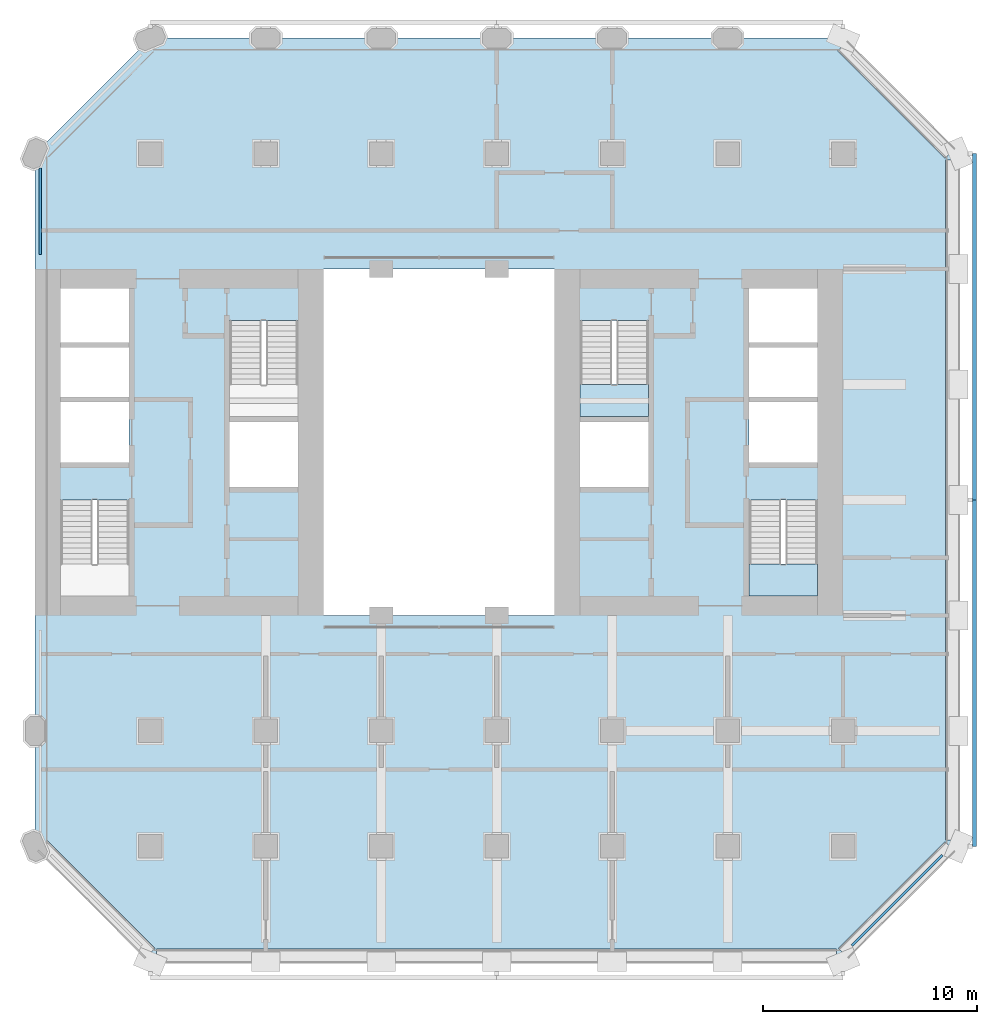
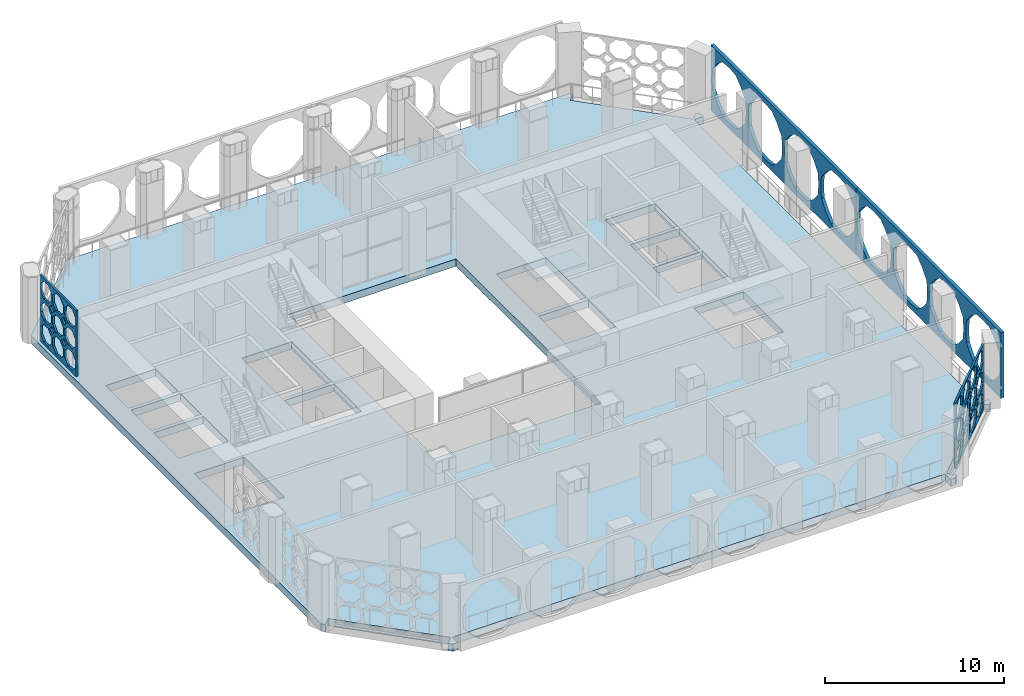
# One storey, part 6 of 14: 4 plates, 3 slabs, 2 elements without a shape of their own.
"""IFC4 building model written with IfcOpenShell, lengths in metres."""

from ifc_helpers import new_model, si_unit, direction, frame, origin, place, context, subcontext, project, spatial, polyline, outline, extrude, material, layer, layer_set, type_object, element, aggregate, save


model = new_model("IFC4")

# Units and contexts
model_context = context("Model", 3, precision=1e-05, world=origin(), true_north=direction((0.0, 1.0)))
body_context = subcontext(model_context, "Body", "Model", "MODEL_VIEW")
ifc_project = project(units=[si_unit("LENGTHUNIT", "METRE"), si_unit("AREAUNIT", "SQUARE_METRE"), si_unit("VOLUMEUNIT", "CUBIC_METRE"), si_unit("PLANEANGLEUNIT", "RADIAN"), si_unit("MASSUNIT", "GRAM", prefix="KILO")], contexts=[model_context])

# Site, building, storey
site_placement = place(None, origin())
site = spatial("IfcSite", under=ifc_project, at=site_placement, CompositionType="ELEMENT")
building_placement = place(site_placement, origin())
building = spatial("IfcBuilding", under=site, at=building_placement, Name="Tabaq Tower and Sports Hall", CompositionType="ELEMENT")
storey_placement = place(building_placement, frame((0.0, 0.0, 60.199951171875)))
storey = spatial("IfcBuildingStorey", under=building, at=storey_placement, Name="L13", CompositionType="ELEMENT", Elevation=60.199951171875)

# Stair, slab
ifc_material_1 = material(Name="Concrete C40/50", Category="concrete")
stair_type = type_object("IfcStairType", Name="Exit stair", PredefinedType="HALF_TURN_STAIR", material=ifc_material_1)
stair_1_placement = place(storey_placement, origin())
stair_1 = element("IfcStair", 1, at=stair_1_placement, inside=storey, type_object=stair_type, Name="L13 Exit stair ST3", PredefinedType="HALF_TURN_STAIR")
ifc_material_2 = material(Name="Concrete C40/50", Category="concrete")
ifc_layer_1 = layer(ifc_material_2, 0.199951171875)
ifc_layer_set_1 = layer_set([ifc_layer_1], Name="Exit stair landing")
slab_type_1 = type_object("IfcSlabType", Name="Exit stair landing", PredefinedType="LANDING", material=ifc_layer_set_1)
slab_1_placement = place(storey_placement, frame((0.0, 0.0, 2.199951171875)))
slab_1 = element("IfcSlab", 2, at=slab_1_placement, type_object=slab_type_1, Name="ST3 landing 1", PredefinedType="LANDING", context=body_context, shape_type="SweptSolid", body=[
    extrude(outline(polyline([(38.800048828125, 18.60009765625), (38.800048828125, 17.10009765625), (42.0, 17.10009765625), (42.0, 18.60009765625), (38.800048828125, 18.60009765625)])), origin(), (0.0, 0.0, 1.0), 0.2001953125),
])
aggregate(stair_1, [slab_1])

stair_2_placement = place(storey_placement, origin())
stair_2 = element("IfcStair", 3, at=stair_2_placement, inside=storey, type_object=stair_type, Name="L13 Exit stair ST4", PredefinedType="HALF_TURN_STAIR")
slab_2_placement = place(storey_placement, frame((0.0, 0.0, 2.199951171875)))
slab_2 = element("IfcSlab", 4, at=slab_2_placement, type_object=slab_type_1, Name="ST4 landing 1", PredefinedType="LANDING", context=body_context, shape_type="SweptSolid", body=[
    extrude(outline(polyline([(30.89990234375, 27.0), (30.89990234375, 25.5), (34.10009765625, 25.5), (34.10009765625, 27.0), (30.89990234375, 27.0)])), origin(), (0.0, 0.0, 1.0), 0.2001953125),
])
aggregate(stair_2, [slab_2])

# Slab
ifc_material_3 = material(Name="Concrete C40/50", Category="concrete")
ifc_layer_2 = layer(ifc_material_3, 0.5)
ifc_layer_set_2 = layer_set([ifc_layer_2], Name="PT FLOOR SLAB 500 C40/50")
slab_type_2 = type_object("IfcSlabType", Name="PT FLOOR SLAB 500 C40/50", PredefinedType="FLOOR", material=ifc_layer_set_2)
slab_3_placement = place(storey_placement, frame((0.0, 0.0, -0.5)))
element("IfcSlab", 5, at=slab_3_placement, inside=storey, type_object=slab_type_2, Name="Floor Slab L13", PredefinedType="FLOOR", context=body_context, shape_type="SweptSolid", body=[
    extrude(outline(polyline([(5.39990234375, 37.800048828125), (5.39990234375, 5.39990234375), (5.57666015625, 5.22314453125), (5.930419921875, 5.57666015625), (6.0009765625, 5.6474609375), (11.01318359375, 0.63525390625), (10.5888671875, 0.211181640625), (10.800048828125, 0.0), (11.0986328125, 0.0), (11.0986328125, 0.5), (11.0986328125, 0.60009765625), (42.9013671875, 0.60009765625), (42.9013671875, 0.5), (42.9013671875, 0.0), (43.199951171875, 0.0), (43.4111328125, 0.211181640625), (42.98681640625, 0.63525390625), (47.964599609375, 5.61328125), (48.035400390625, 5.54248046875), (48.388916015625, 5.18896484375), (48.60009765625, 5.39990234375), (48.60009765625, 5.698486328125), (48.10009765625, 5.698486328125), (48.0, 5.698486328125), (48.0, 37.50146484375), (48.10009765625, 37.50146484375), (48.60009765625, 37.50146484375), (48.60009765625, 37.800048828125), (48.388916015625, 38.010986328125), (48.035400390625, 37.657470703125), (47.964599609375, 37.5869140625), (42.952392578125, 42.598876953125), (43.023193359375, 42.669677734375), (43.376708984375, 43.023193359375), (43.199951171875, 43.199951171875), (10.800048828125, 43.199951171875), (5.39990234375, 37.800048828125)]), holes=[polyline([(6.60009765625, 21.599365234375), (9.800048828125, 21.599365234375), (9.800048828125, 17.10009765625), (6.60009765625, 17.10009765625), (6.60009765625, 21.599365234375)]), polyline([(17.699951171875, 25.25), (17.699951171875, 22.199951171875), (14.5, 22.199951171875), (14.5, 25.25), (17.699951171875, 25.25)]), polyline([(18.89990234375, 32.39990234375), (29.699951171875, 32.39990234375), (29.699951171875, 16.199951171875), (18.89990234375, 16.199951171875), (18.89990234375, 32.39990234375)]), polyline([(6.60009765625, 26.175048828125), (9.800048828125, 26.175048828125), (9.800048828125, 23.35009765625), (6.60009765625, 23.35009765625), (6.60009765625, 26.175048828125)]), polyline([(9.800048828125, 28.72509765625), (9.800048828125, 26.425048828125), (6.60009765625, 26.425048828125), (6.60009765625, 28.72509765625), (9.800048828125, 28.72509765625)]), polyline([(17.699951171875, 29.99951171875), (17.699951171875, 25.5), (14.5, 25.5), (14.5, 29.99951171875), (17.699951171875, 29.99951171875)]), polyline([(6.60009765625, 31.5), (9.800048828125, 31.5), (9.800048828125, 28.97509765625), (6.60009765625, 28.97509765625), (6.60009765625, 31.5)]), polyline([(42.0, 21.599365234375), (42.0, 17.10009765625), (38.800048828125, 17.10009765625), (38.800048828125, 21.599365234375), (42.0, 21.599365234375)]), polyline([(34.10009765625, 25.25), (34.10009765625, 22.199951171875), (30.89990234375, 22.199951171875), (30.89990234375, 25.25), (34.10009765625, 25.25)]), polyline([(42.0, 26.175048828125), (42.0, 23.35009765625), (38.800048828125, 23.35009765625), (38.800048828125, 26.175048828125), (42.0, 26.175048828125)]), polyline([(42.0, 28.72509765625), (42.0, 26.425048828125), (38.800048828125, 26.425048828125), (38.800048828125, 28.72509765625), (42.0, 28.72509765625)]), polyline([(34.10009765625, 29.99951171875), (34.10009765625, 25.5), (30.89990234375, 25.5), (30.89990234375, 29.99951171875), (34.10009765625, 29.99951171875)]), polyline([(42.0, 31.5), (42.0, 28.97509765625), (38.800048828125, 28.97509765625), (38.800048828125, 31.5), (42.0, 31.5)])]), origin(), (0.0, 0.0, 1.0), 0.5),
])

# Plates
ifc_material_4 = material(Name="White precast concrete C60/75 pierced screen", Category="concrete")
ifc_layer_3 = layer(ifc_material_4, 0.199951171875)
ifc_layer_set_3 = layer_set([ifc_layer_3], Name="White precast concrete C60/75 girih screen 200")
plate_type_1 = type_object("IfcPlateType", Name="White precast concrete C60/75 girih screen 200", PredefinedType="USERDEFINED", material=ifc_layer_set_3)
plate_1_placement = place(storey_placement, frame((49.35009765625, 5.39990234375, 0.0), z_axis=(0.0, 0.0, 1.0), x_axis=(0.0, 1.0, 0.0)))
element("IfcPlate", 6, at=plate_1_placement, inside=storey, type_object=plate_type_1, Name="Girih screen L13 E", ObjectType="SCREEN", PredefinedType="USERDEFINED", context=body_context, shape_type="SweptSolid", body=[
    extrude(outline(polyline([(0.0, 0.0), (16.2001953125, 0.0), (16.2001953125, 4.5), (0.0, 4.5), (0.0, 0.0)]), holes=[polyline([(3.85107421875, 3.00634765625), (3.36669921875, 3.591552734375), (2.78125, 4.075927734375), (2.02490234375, 4.1474609375), (1.2685546875, 4.075927734375), (0.683349609375, 3.591552734375), (0.198974609375, 3.00634765625), (0.127685546875, 2.25), (0.198974609375, 1.49365234375), (0.683349609375, 0.908447265625), (1.2685546875, 0.424072265625), (2.02490234375, 0.352783203125), (2.78125, 0.424072265625), (3.36669921875, 0.908447265625), (3.85107421875, 1.49365234375), (3.92236328125, 2.25), (3.85107421875, 3.00634765625)]), polyline([(7.90087890625, 3.00634765625), (7.41650390625, 3.591552734375), (6.831298828125, 4.075927734375), (6.074951171875, 4.1474609375), (5.318603515625, 4.075927734375), (4.7333984375, 3.591552734375), (4.2490234375, 3.00634765625), (4.177734375, 2.25), (4.2490234375, 1.49365234375), (4.7333984375, 0.908447265625), (5.318603515625, 0.424072265625), (6.074951171875, 0.352783203125), (6.831298828125, 0.424072265625), (7.41650390625, 0.908447265625), (7.90087890625, 1.49365234375), (7.972412109375, 2.25), (7.90087890625, 3.00634765625)]), polyline([(11.950927734375, 3.00634765625), (11.466552734375, 3.591552734375), (10.88134765625, 4.075927734375), (10.125, 4.1474609375), (9.36865234375, 4.075927734375), (8.783447265625, 3.591552734375), (8.299072265625, 3.00634765625), (8.2275390625, 2.25), (8.299072265625, 1.49365234375), (8.783447265625, 0.908447265625), (9.36865234375, 0.424072265625), (10.125, 0.352783203125), (10.88134765625, 0.424072265625), (11.466552734375, 0.908447265625), (11.950927734375, 1.49365234375), (12.0224609375, 2.25), (11.950927734375, 3.00634765625)]), polyline([(16.0009765625, 3.00634765625), (15.5166015625, 3.591552734375), (14.931396484375, 4.075927734375), (14.175048828125, 4.1474609375), (13.418701171875, 4.075927734375), (12.83349609375, 3.591552734375), (12.34912109375, 3.00634765625), (12.277587890625, 2.25), (12.34912109375, 1.49365234375), (12.83349609375, 0.908447265625), (13.418701171875, 0.424072265625), (14.175048828125, 0.352783203125), (14.931396484375, 0.424072265625), (15.5166015625, 0.908447265625), (16.0009765625, 1.49365234375), (16.072265625, 2.25), (16.0009765625, 3.00634765625)])]), frame((0.0, 0.10009765625, 0.0), z_axis=(0.0, -1.0, 0.0), x_axis=(1.0, 0.0, 0.0)), (0.0, 0.0, 1.0), 0.199951171875),
])
plate_2_placement = place(storey_placement, frame((49.35009765625, 21.60009765625, 0.0), z_axis=(0.0, 0.0, 1.0), x_axis=(0.0, 1.0, 0.0)))
element("IfcPlate", 7, at=plate_2_placement, inside=storey, type_object=plate_type_1, Name="Girih screen L13 E", ObjectType="SCREEN", PredefinedType="USERDEFINED", context=body_context, shape_type="SweptSolid", body=[
    extrude(outline(polyline([(0.0, 0.0), (16.199951171875, 0.0), (16.199951171875, 4.5), (0.0, 4.5), (0.0, 0.0)]), holes=[polyline([(3.85107421875, 3.00634765625), (3.36669921875, 3.591552734375), (2.78125, 4.075927734375), (2.02490234375, 4.1474609375), (1.2685546875, 4.075927734375), (0.683349609375, 3.591552734375), (0.198974609375, 3.00634765625), (0.127685546875, 2.25), (0.198974609375, 1.49365234375), (0.683349609375, 0.908447265625), (1.2685546875, 0.424072265625), (2.02490234375, 0.352783203125), (2.78125, 0.424072265625), (3.36669921875, 0.908447265625), (3.85107421875, 1.49365234375), (3.92236328125, 2.25), (3.85107421875, 3.00634765625)]), polyline([(7.90087890625, 3.00634765625), (7.41650390625, 3.591552734375), (6.831298828125, 4.075927734375), (6.074951171875, 4.1474609375), (5.318603515625, 4.075927734375), (4.7333984375, 3.591552734375), (4.2490234375, 3.00634765625), (4.177734375, 2.25), (4.2490234375, 1.49365234375), (4.7333984375, 0.908447265625), (5.318603515625, 0.424072265625), (6.074951171875, 0.352783203125), (6.831298828125, 0.424072265625), (7.41650390625, 0.908447265625), (7.90087890625, 1.49365234375), (7.972412109375, 2.25), (7.90087890625, 3.00634765625)]), polyline([(11.950927734375, 3.00634765625), (11.466552734375, 3.591552734375), (10.88134765625, 4.075927734375), (10.125, 4.1474609375), (9.36865234375, 4.075927734375), (8.783447265625, 3.591552734375), (8.299072265625, 3.00634765625), (8.2275390625, 2.25), (8.299072265625, 1.49365234375), (8.783447265625, 0.908447265625), (9.36865234375, 0.424072265625), (10.125, 0.352783203125), (10.88134765625, 0.424072265625), (11.466552734375, 0.908447265625), (11.950927734375, 1.49365234375), (12.0224609375, 2.25), (11.950927734375, 3.00634765625)]), polyline([(16.0009765625, 3.00634765625), (15.5166015625, 3.591552734375), (14.931396484375, 4.075927734375), (14.175048828125, 4.1474609375), (13.418701171875, 4.075927734375), (12.83349609375, 3.591552734375), (12.34912109375, 3.00634765625), (12.277587890625, 2.25), (12.34912109375, 1.49365234375), (12.83349609375, 0.908447265625), (13.418701171875, 0.424072265625), (14.175048828125, 0.352783203125), (14.931396484375, 0.424072265625), (15.5166015625, 0.908447265625), (16.0009765625, 1.49365234375), (16.072265625, 2.25), (16.0009765625, 3.00634765625)])]), frame((0.0, 0.10009765625, 0.0), z_axis=(0.0, -1.0, 0.0), x_axis=(1.0, 0.0, 0.0)), (0.0, 0.0, 1.0), 0.199951171875),
])
ifc_material_5 = material(Name="White precast concrete C60/75 pierced screen", Category="concrete")
ifc_layer_4 = layer(ifc_material_5, 0.1201171875)
ifc_layer_set_4 = layer_set([ifc_layer_4], Name="White precast concrete C60/75 screen 120")
plate_type_2 = type_object("IfcPlateType", Name="White precast concrete C60/75 screen 120", PredefinedType="USERDEFINED", material=ifc_layer_set_4)
plate_3_placement = place(storey_placement, frame((43.606689453125, 0.76025390625, 0.0), z_axis=(0.0, 0.0, 1.0), x_axis=(0.707106781187, 0.707106781187, 0.0)))
element("IfcPlate", 8, at=plate_3_placement, inside=storey, type_object=plate_type_2, Name="Pierced screen L13 SE", ObjectType="SCREEN", PredefinedType="USERDEFINED", context=body_context, shape_type="SweptSolid", body=[
    extrude(outline(polyline([(0.0, 0.0), (5.986572265625, 0.0), (5.986572265625, 4.5), (0.0, 4.5), (0.0, 0.0)]), holes=[polyline([(1.40966796875, 1.057373046875), (1.203857421875, 1.23876953125), (1.022216796875, 1.444580078125), (0.748291015625, 1.427490234375), (0.474365234375, 1.444580078125), (0.29296875, 1.23876953125), (0.087158203125, 1.057373046875), (0.104248046875, 0.783447265625), (0.087158203125, 0.509521484375), (0.29296875, 0.327880859375), (0.474365234375, 0.1220703125), (0.748291015625, 0.13916015625), (1.022216796875, 0.1220703125), (1.203857421875, 0.327880859375), (1.40966796875, 0.509521484375), (1.392578125, 0.783447265625), (1.40966796875, 1.057373046875)]), polyline([(1.40966796875, 2.52392578125), (1.203857421875, 2.70556640625), (1.022216796875, 2.911376953125), (0.748291015625, 2.894287109375), (0.474365234375, 2.911376953125), (0.29296875, 2.70556640625), (0.087158203125, 2.52392578125), (0.104248046875, 2.25), (0.087158203125, 1.97607421875), (0.29296875, 1.794677734375), (0.474365234375, 1.5888671875), (0.748291015625, 1.60595703125), (1.022216796875, 1.5888671875), (1.203857421875, 1.794677734375), (1.40966796875, 1.97607421875), (1.392578125, 2.25), (1.40966796875, 2.52392578125)]), polyline([(1.40966796875, 3.99072265625), (1.203857421875, 4.172119140625), (1.022216796875, 4.3779296875), (0.748291015625, 4.36083984375), (0.474365234375, 4.3779296875), (0.29296875, 4.172119140625), (0.087158203125, 3.99072265625), (0.104248046875, 3.716796875), (0.087158203125, 3.44287109375), (0.29296875, 3.26123046875), (0.474365234375, 3.055419921875), (0.748291015625, 3.072509765625), (1.022216796875, 3.055419921875), (1.203857421875, 3.26123046875), (1.40966796875, 3.44287109375), (1.392578125, 3.716796875), (1.40966796875, 3.99072265625)]), polyline([(2.90625, 1.057373046875), (2.700439453125, 1.23876953125), (2.51904296875, 1.444580078125), (2.2451171875, 1.427490234375), (1.97119140625, 1.444580078125), (1.78955078125, 1.23876953125), (1.583740234375, 1.057373046875), (1.600830078125, 0.783447265625), (1.583740234375, 0.509521484375), (1.78955078125, 0.327880859375), (1.97119140625, 0.1220703125), (2.2451171875, 0.13916015625), (2.51904296875, 0.1220703125), (2.700439453125, 0.327880859375), (2.90625, 0.509521484375), (2.88916015625, 0.783447265625), (2.90625, 1.057373046875)]), polyline([(2.90625, 2.52392578125), (2.700439453125, 2.70556640625), (2.51904296875, 2.911376953125), (2.2451171875, 2.894287109375), (1.97119140625, 2.911376953125), (1.78955078125, 2.70556640625), (1.583740234375, 2.52392578125), (1.600830078125, 2.25), (1.583740234375, 1.97607421875), (1.78955078125, 1.794677734375), (1.97119140625, 1.5888671875), (2.2451171875, 1.60595703125), (2.51904296875, 1.5888671875), (2.700439453125, 1.794677734375), (2.90625, 1.97607421875), (2.88916015625, 2.25), (2.90625, 2.52392578125)]), polyline([(2.90625, 3.99072265625), (2.700439453125, 4.172119140625), (2.51904296875, 4.3779296875), (2.2451171875, 4.36083984375), (1.97119140625, 4.3779296875), (1.78955078125, 4.172119140625), (1.583740234375, 3.99072265625), (1.600830078125, 3.716796875), (1.583740234375, 3.44287109375), (1.78955078125, 3.26123046875), (1.97119140625, 3.055419921875), (2.2451171875, 3.072509765625), (2.51904296875, 3.055419921875), (2.700439453125, 3.26123046875), (2.90625, 3.44287109375), (2.88916015625, 3.716796875), (2.90625, 3.99072265625)]), polyline([(4.403076171875, 1.057373046875), (4.197265625, 1.23876953125), (4.015625, 1.444580078125), (3.74169921875, 1.427490234375), (3.4677734375, 1.444580078125), (3.2861328125, 1.23876953125), (3.08056640625, 1.057373046875), (3.09765625, 0.783447265625), (3.08056640625, 0.509521484375), (3.2861328125, 0.327880859375), (3.4677734375, 0.1220703125), (3.74169921875, 0.13916015625), (4.015625, 0.1220703125), (4.197265625, 0.327880859375), (4.403076171875, 0.509521484375), (4.385986328125, 0.783447265625), (4.403076171875, 1.057373046875)]), polyline([(4.403076171875, 2.52392578125), (4.197265625, 2.70556640625), (4.015625, 2.911376953125), (3.74169921875, 2.894287109375), (3.4677734375, 2.911376953125), (3.2861328125, 2.70556640625), (3.08056640625, 2.52392578125), (3.09765625, 2.25), (3.08056640625, 1.97607421875), (3.2861328125, 1.794677734375), (3.4677734375, 1.5888671875), (3.74169921875, 1.60595703125), (4.015625, 1.5888671875), (4.197265625, 1.794677734375), (4.403076171875, 1.97607421875), (4.385986328125, 2.25), (4.403076171875, 2.52392578125)]), polyline([(4.403076171875, 3.99072265625), (4.197265625, 4.172119140625), (4.015625, 4.3779296875), (3.74169921875, 4.36083984375), (3.4677734375, 4.3779296875), (3.2861328125, 4.172119140625), (3.08056640625, 3.99072265625), (3.09765625, 3.716796875), (3.08056640625, 3.44287109375), (3.2861328125, 3.26123046875), (3.4677734375, 3.055419921875), (3.74169921875, 3.072509765625), (4.015625, 3.055419921875), (4.197265625, 3.26123046875), (4.403076171875, 3.44287109375), (4.385986328125, 3.716796875), (4.403076171875, 3.99072265625)]), polyline([(5.899658203125, 1.057373046875), (5.69384765625, 1.23876953125), (5.51220703125, 1.444580078125), (5.238525390625, 1.427490234375), (4.964599609375, 1.444580078125), (4.782958984375, 1.23876953125), (4.5771484375, 1.057373046875), (4.59423828125, 0.783447265625), (4.5771484375, 0.509521484375), (4.782958984375, 0.327880859375), (4.964599609375, 0.1220703125), (5.238525390625, 0.13916015625), (5.51220703125, 0.1220703125), (5.69384765625, 0.327880859375), (5.899658203125, 0.509521484375), (5.882568359375, 0.783447265625), (5.899658203125, 1.057373046875)]), polyline([(5.899658203125, 2.52392578125), (5.69384765625, 2.70556640625), (5.51220703125, 2.911376953125), (5.238525390625, 2.894287109375), (4.964599609375, 2.911376953125), (4.782958984375, 2.70556640625), (4.5771484375, 2.52392578125), (4.59423828125, 2.25), (4.5771484375, 1.97607421875), (4.782958984375, 1.794677734375), (4.964599609375, 1.5888671875), (5.238525390625, 1.60595703125), (5.51220703125, 1.5888671875), (5.69384765625, 1.794677734375), (5.899658203125, 1.97607421875), (5.882568359375, 2.25), (5.899658203125, 2.52392578125)]), polyline([(5.899658203125, 3.99072265625), (5.69384765625, 4.172119140625), (5.51220703125, 4.3779296875), (5.238525390625, 4.36083984375), (4.964599609375, 4.3779296875), (4.782958984375, 4.172119140625), (4.5771484375, 3.99072265625), (4.59423828125, 3.716796875), (4.5771484375, 3.44287109375), (4.782958984375, 3.26123046875), (4.964599609375, 3.055419921875), (5.238525390625, 3.072509765625), (5.51220703125, 3.055419921875), (5.69384765625, 3.26123046875), (5.899658203125, 3.44287109375), (5.882568359375, 3.716796875), (5.899658203125, 3.99072265625)]), polyline([(1.7900390625, 1.5166015625), (1.49658203125, 1.81005859375), (1.203369140625, 1.5166015625), (1.49658203125, 1.223388671875), (1.7900390625, 1.5166015625)]), polyline([(1.7900390625, 2.9833984375), (1.49658203125, 3.276611328125), (1.203369140625, 2.9833984375), (1.49658203125, 2.68994140625), (1.7900390625, 2.9833984375)]), polyline([(3.28662109375, 1.5166015625), (2.993408203125, 1.81005859375), (2.699951171875, 1.5166015625), (2.993408203125, 1.223388671875), (3.28662109375, 1.5166015625)]), polyline([(3.28662109375, 2.9833984375), (2.993408203125, 3.276611328125), (2.699951171875, 2.9833984375), (2.993408203125, 2.68994140625), (3.28662109375, 2.9833984375)]), polyline([(4.783447265625, 1.5166015625), (4.489990234375, 1.81005859375), (4.19677734375, 1.5166015625), (4.489990234375, 1.223388671875), (4.783447265625, 1.5166015625)]), polyline([(4.783447265625, 2.9833984375), (4.489990234375, 3.276611328125), (4.19677734375, 2.9833984375), (4.489990234375, 2.68994140625), (4.783447265625, 2.9833984375)])]), frame((0.0, 0.06005859375, 0.0), z_axis=(0.0, -1.0, 0.0), x_axis=(1.0, 0.0, 0.0)), (0.0, 0.0, 1.0), 0.1201171875),
])
plate_4_placement = place(storey_placement, frame((5.64990234375, 37.125, 0.0), z_axis=(0.0, 0.0, 1.0), x_axis=(0.0, -1.0, 0.0)))
element("IfcPlate", 9, at=plate_4_placement, inside=storey, type_object=plate_type_2, Name="Pierced screen L13 W", ObjectType="SCREEN", PredefinedType="USERDEFINED", context=body_context, shape_type="SweptSolid", body=[
    extrude(outline(polyline([(0.0, 0.0), (4.050048828125, 0.0), (4.050048828125, 4.5), (0.0, 4.5), (0.0, 0.0)]), holes=[polyline([(1.28369140625, 1.035400390625), (1.09423828125, 1.20263671875), (0.927001953125, 1.39208984375), (0.675048828125, 1.376220703125), (0.4228515625, 1.39208984375), (0.255859375, 1.20263671875), (0.06640625, 1.035400390625), (0.08203125, 0.783447265625), (0.06640625, 0.53125), (0.255859375, 0.364013671875), (0.4228515625, 0.1748046875), (0.675048828125, 0.1904296875), (0.927001953125, 0.1748046875), (1.09423828125, 0.364013671875), (1.28369140625, 0.53125), (1.267822265625, 0.783447265625), (1.28369140625, 1.035400390625)]), polyline([(1.28369140625, 2.502197265625), (1.09423828125, 2.669189453125), (0.927001953125, 2.858642578125), (0.675048828125, 2.843017578125), (0.4228515625, 2.858642578125), (0.255859375, 2.669189453125), (0.06640625, 2.502197265625), (0.08203125, 2.25), (0.06640625, 1.998046875), (0.255859375, 1.830810546875), (0.4228515625, 1.641357421875), (0.675048828125, 1.6572265625), (0.927001953125, 1.641357421875), (1.09423828125, 1.830810546875), (1.28369140625, 1.998046875), (1.267822265625, 2.25), (1.28369140625, 2.502197265625)]), polyline([(1.28369140625, 3.96875), (1.09423828125, 4.135986328125), (0.927001953125, 4.325439453125), (0.675048828125, 4.3095703125), (0.4228515625, 4.325439453125), (0.255859375, 4.135986328125), (0.06640625, 3.96875), (0.08203125, 3.716796875), (0.06640625, 3.464599609375), (0.255859375, 3.29736328125), (0.4228515625, 3.108154296875), (0.675048828125, 3.123779296875), (0.927001953125, 3.108154296875), (1.09423828125, 3.29736328125), (1.28369140625, 3.464599609375), (1.267822265625, 3.716796875), (1.28369140625, 3.96875)]), polyline([(2.633544921875, 1.035400390625), (2.4443359375, 1.20263671875), (2.277099609375, 1.39208984375), (2.02490234375, 1.376220703125), (1.77294921875, 1.39208984375), (1.605712890625, 1.20263671875), (1.416259765625, 1.035400390625), (1.43212890625, 0.783447265625), (1.416259765625, 0.53125), (1.605712890625, 0.364013671875), (1.77294921875, 0.1748046875), (2.02490234375, 0.1904296875), (2.277099609375, 0.1748046875), (2.4443359375, 0.364013671875), (2.633544921875, 0.53125), (2.617919921875, 0.783447265625), (2.633544921875, 1.035400390625)]), polyline([(2.633544921875, 2.502197265625), (2.4443359375, 2.669189453125), (2.277099609375, 2.858642578125), (2.02490234375, 2.843017578125), (1.77294921875, 2.858642578125), (1.605712890625, 2.669189453125), (1.416259765625, 2.502197265625), (1.43212890625, 2.25), (1.416259765625, 1.998046875), (1.605712890625, 1.830810546875), (1.77294921875, 1.641357421875), (2.02490234375, 1.6572265625), (2.277099609375, 1.641357421875), (2.4443359375, 1.830810546875), (2.633544921875, 1.998046875), (2.617919921875, 2.25), (2.633544921875, 2.502197265625)]), polyline([(2.633544921875, 3.96875), (2.4443359375, 4.135986328125), (2.277099609375, 4.325439453125), (2.02490234375, 4.3095703125), (1.77294921875, 4.325439453125), (1.605712890625, 4.135986328125), (1.416259765625, 3.96875), (1.43212890625, 3.716796875), (1.416259765625, 3.464599609375), (1.605712890625, 3.29736328125), (1.77294921875, 3.108154296875), (2.02490234375, 3.123779296875), (2.277099609375, 3.108154296875), (2.4443359375, 3.29736328125), (2.633544921875, 3.464599609375), (2.617919921875, 3.716796875), (2.633544921875, 3.96875)]), polyline([(3.983642578125, 1.035400390625), (3.794189453125, 1.20263671875), (3.627197265625, 1.39208984375), (3.375, 1.376220703125), (3.122802734375, 1.39208984375), (2.955810546875, 1.20263671875), (2.766357421875, 1.035400390625), (2.781982421875, 0.783447265625), (2.766357421875, 0.53125), (2.955810546875, 0.364013671875), (3.122802734375, 0.1748046875), (3.375, 0.1904296875), (3.627197265625, 0.1748046875), (3.794189453125, 0.364013671875), (3.983642578125, 0.53125), (3.968017578125, 0.783447265625), (3.983642578125, 1.035400390625)]), polyline([(3.983642578125, 2.502197265625), (3.794189453125, 2.669189453125), (3.627197265625, 2.858642578125), (3.375, 2.843017578125), (3.122802734375, 2.858642578125), (2.955810546875, 2.669189453125), (2.766357421875, 2.502197265625), (2.781982421875, 2.25), (2.766357421875, 1.998046875), (2.955810546875, 1.830810546875), (3.122802734375, 1.641357421875), (3.375, 1.6572265625), (3.627197265625, 1.641357421875), (3.794189453125, 1.830810546875), (3.983642578125, 1.998046875), (3.968017578125, 2.25), (3.983642578125, 2.502197265625)]), polyline([(3.983642578125, 3.96875), (3.794189453125, 4.135986328125), (3.627197265625, 4.325439453125), (3.375, 4.3095703125), (3.122802734375, 4.325439453125), (2.955810546875, 4.135986328125), (2.766357421875, 3.96875), (2.781982421875, 3.716796875), (2.766357421875, 3.464599609375), (2.955810546875, 3.29736328125), (3.122802734375, 3.108154296875), (3.375, 3.123779296875), (3.627197265625, 3.108154296875), (3.794189453125, 3.29736328125), (3.983642578125, 3.464599609375), (3.968017578125, 3.716796875), (3.983642578125, 3.96875)]), polyline([(1.6201171875, 1.5166015625), (1.35009765625, 1.78662109375), (1.080078125, 1.5166015625), (1.35009765625, 1.246826171875), (1.6201171875, 1.5166015625)]), polyline([(1.6201171875, 2.9833984375), (1.35009765625, 3.25341796875), (1.080078125, 2.9833984375), (1.35009765625, 2.71337890625), (1.6201171875, 2.9833984375)]), polyline([(2.969970703125, 1.5166015625), (2.699951171875, 1.78662109375), (2.429931640625, 1.5166015625), (2.699951171875, 1.246826171875), (2.969970703125, 1.5166015625)]), polyline([(2.969970703125, 2.9833984375), (2.699951171875, 3.25341796875), (2.429931640625, 2.9833984375), (2.699951171875, 2.71337890625), (2.969970703125, 2.9833984375)])]), frame((0.0, 0.06005859375, 0.0), z_axis=(0.0, -1.0, 0.0), x_axis=(1.0, 0.0, 0.0)), (0.0, 0.0, 1.0), 0.1201171875),
])

save(model, "model.ifc")
